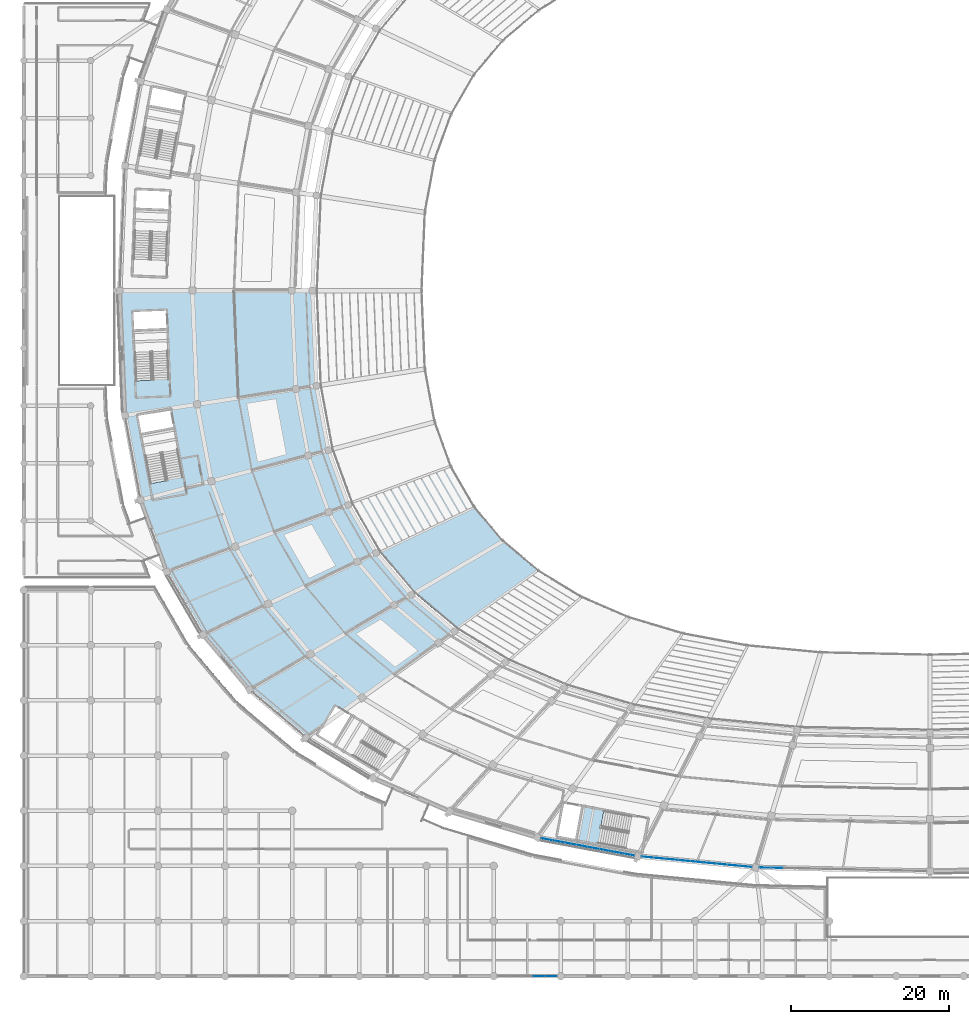
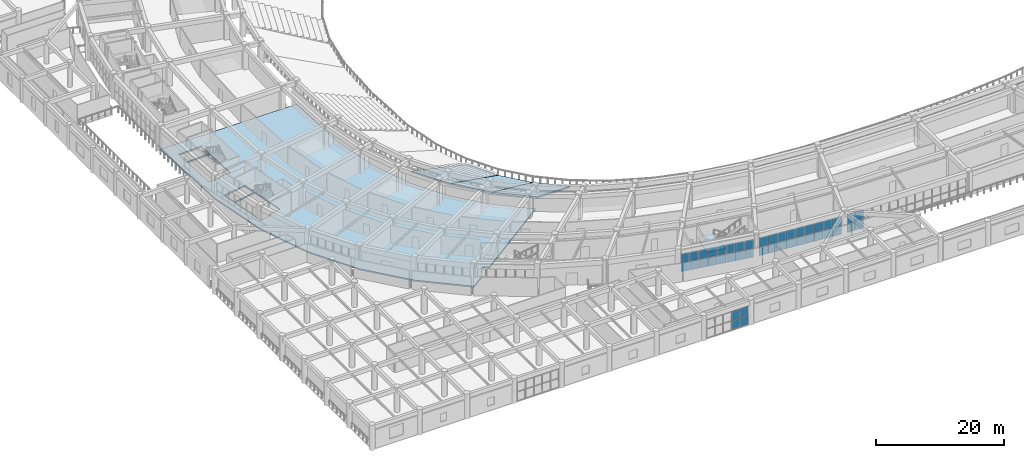
# One storey, part 78 of 152: 42 plates, 5 slabs, 5 elements without a shape of their own.
"""IFC4 building model written with IfcOpenShell, lengths in metres."""

from ifc_helpers import new_model, si_unit, direction, frame, origin, origin_2d, place, context, subcontext, project, spatial, polyline, rectangle, outline, extrude, material, layer, layer_set, type_object, element, aggregate, save


model = new_model("IFC4")

# Units and contexts
model_context = context("Model", 3, precision=1e-05, world=origin(), true_north=direction((0.0, 1.0)))
body_context = subcontext(model_context, "Body", "Model", "MODEL_VIEW")
ifc_project = project(units=[si_unit("LENGTHUNIT", "METRE"), si_unit("AREAUNIT", "SQUARE_METRE"), si_unit("VOLUMEUNIT", "CUBIC_METRE"), si_unit("PLANEANGLEUNIT", "RADIAN"), si_unit("MASSUNIT", "GRAM", prefix="KILO")], contexts=[model_context])

# Site, building, storey
site_placement = place(None, origin())
site = spatial("IfcSite", under=ifc_project, at=site_placement, CompositionType="ELEMENT")
building_placement = place(site_placement, origin())
building = spatial("IfcBuilding", under=site, at=building_placement, Name="Mphavela Belvedere Stadium", CompositionType="ELEMENT")
storey_placement = place(building_placement, frame((0.0, 0.0, 5.39990234375)))
storey = spatial("IfcBuildingStorey", under=building, at=storey_placement, Name="L01", CompositionType="ELEMENT", Elevation=5.39990234375)

# Curtain wall, plates
ifc_material_1 = material(Name="Anodised bronze unitised curtain wall framing")
ifc_layer_1 = layer(ifc_material_1, 0.18505859375)
ifc_layer_set_1 = layer_set([ifc_layer_1], Name="Anodised bronze unitised curtain wall framing")
curtain_wall_type_1 = type_object("IfcCurtainWallType", Name="CW-UNIT-02", PredefinedType="USERDEFINED", material=ifc_layer_set_1)
curtain_wall_1_placement = place(storey_placement, origin())
curtain_wall_1 = element("IfcCurtainWall", 1, at=curtain_wall_1_placement, inside=storey, type_object=curtain_wall_type_1, Name="Belvedere colonnade curtain wall L01-34", ObjectType="UNITISED CURTAIN WALL", PredefinedType="USERDEFINED")
ifc_material_2 = material(Name="Solar-control double glazing", Category="glass")
ifc_layer_2 = layer(ifc_material_2, 0.031982421875)
ifc_layer_set_2 = layer_set([ifc_layer_2], Name="Solar-control double glazing")
plate_type = type_object("IfcPlateType", Name="CWP-SOLAR-GLASS", PredefinedType="CURTAIN_PANEL", material=ifc_layer_set_2)
plate_1_placement = place(storey_placement, frame((66.3740234375, 17.38427734375, 0.06005859375), z_axis=(0.0, 0.0, 1.0), x_axis=(0.983095232437, -0.18309495886, 0.0)))
plate_1 = element("IfcPlate", 2, at=plate_1_placement, type_object=plate_type, Name="CW-02 panel 1.1", PredefinedType="CURTAIN_PANEL", context=body_context, shape_type="SweptSolid", body=[
    extrude(rectangle(XDim=1.415283203125, YDim=0.031982421875, at=origin_2d()), origin(), (0.0, 0.0, 1.0), 1.695068359375),
])
plate_2_placement = place(storey_placement, frame((66.3740234375, 17.38427734375, 1.81494140625), z_axis=(0.0, 0.0, 1.0), x_axis=(0.983095232437, -0.18309495886, 0.0)))
plate_2 = element("IfcPlate", 3, at=plate_2_placement, type_object=plate_type, Name="CW-02 panel 1.2", PredefinedType="CURTAIN_PANEL", context=body_context, shape_type="SweptSolid", body=[
    extrude(rectangle(XDim=1.415283203125, YDim=0.031982421875, at=origin_2d()), origin(), (0.0, 0.0, 1.0), 1.695068359375),
])
plate_3_placement = place(storey_placement, frame((67.84521484375, 17.1103515625, 0.06005859375), z_axis=(0.0, 0.0, 1.0), x_axis=(0.983095232437, -0.18309495886, 0.0)))
plate_3 = element("IfcPlate", 4, at=plate_3_placement, type_object=plate_type, Name="CW-02 panel 2.1", PredefinedType="CURTAIN_PANEL", context=body_context, shape_type="SweptSolid", body=[
    extrude(rectangle(XDim=1.44775390625, YDim=0.031982421875, at=origin_2d()), origin(), (0.0, 0.0, 1.0), 1.695068359375),
])
plate_4_placement = place(storey_placement, frame((67.84521484375, 17.1103515625, 1.81494140625), z_axis=(0.0, 0.0, 1.0), x_axis=(0.983095232437, -0.18309495886, 0.0)))
plate_4 = element("IfcPlate", 5, at=plate_4_placement, type_object=plate_type, Name="CW-02 panel 2.2", PredefinedType="CURTAIN_PANEL", context=body_context, shape_type="SweptSolid", body=[
    extrude(rectangle(XDim=1.44775390625, YDim=0.031982421875, at=origin_2d()), origin(), (0.0, 0.0, 1.0), 1.695068359375),
])
plate_5_placement = place(storey_placement, frame((69.332275390625, 16.833251953125, 0.06005859375), z_axis=(0.0, 0.0, 1.0), x_axis=(0.983095232437, -0.18309495886, 0.0)))
plate_5 = element("IfcPlate", 6, at=plate_5_placement, type_object=plate_type, Name="CW-02 panel 3.1", PredefinedType="CURTAIN_PANEL", context=body_context, shape_type="SweptSolid", body=[
    extrude(rectangle(XDim=1.44775390625, YDim=0.031982421875, at=origin_2d()), origin(), (0.0, 0.0, 1.0), 1.695068359375),
])
plate_6_placement = place(storey_placement, frame((69.332275390625, 16.833251953125, 1.81494140625), z_axis=(0.0, 0.0, 1.0), x_axis=(0.983095232437, -0.18309495886, 0.0)))
plate_6 = element("IfcPlate", 7, at=plate_6_placement, type_object=plate_type, Name="CW-02 panel 3.2", PredefinedType="CURTAIN_PANEL", context=body_context, shape_type="SweptSolid", body=[
    extrude(rectangle(XDim=1.44775390625, YDim=0.031982421875, at=origin_2d()), origin(), (0.0, 0.0, 1.0), 1.695068359375),
])
plate_7_placement = place(storey_placement, frame((70.8193359375, 16.556396484375, 0.06005859375), z_axis=(0.0, 0.0, 1.0), x_axis=(0.983095232437, -0.18309495886, 0.0)))
plate_7 = element("IfcPlate", 8, at=plate_7_placement, type_object=plate_type, Name="CW-02 panel 4.1", PredefinedType="CURTAIN_PANEL", context=body_context, shape_type="SweptSolid", body=[
    extrude(rectangle(XDim=1.44775390625, YDim=0.031982421875, at=origin_2d()), origin(), (0.0, 0.0, 1.0), 1.695068359375),
])
plate_8_placement = place(storey_placement, frame((70.8193359375, 16.556396484375, 1.81494140625), z_axis=(0.0, 0.0, 1.0), x_axis=(0.983095232437, -0.18309495886, 0.0)))
plate_8 = element("IfcPlate", 9, at=plate_8_placement, type_object=plate_type, Name="CW-02 panel 4.2", PredefinedType="CURTAIN_PANEL", context=body_context, shape_type="SweptSolid", body=[
    extrude(rectangle(XDim=1.44775390625, YDim=0.031982421875, at=origin_2d()), origin(), (0.0, 0.0, 1.0), 1.695068359375),
])
plate_9_placement = place(storey_placement, frame((72.306640625, 16.279296875, 0.06005859375), z_axis=(0.0, 0.0, 1.0), x_axis=(0.983095232437, -0.18309495886, 0.0)))
plate_9 = element("IfcPlate", 10, at=plate_9_placement, type_object=plate_type, Name="CW-02 panel 5.1", PredefinedType="CURTAIN_PANEL", context=body_context, shape_type="SweptSolid", body=[
    extrude(rectangle(XDim=1.44775390625, YDim=0.031982421875, at=origin_2d()), origin(), (0.0, 0.0, 1.0), 1.695068359375),
])
plate_10_placement = place(storey_placement, frame((72.306640625, 16.279296875, 1.81494140625), z_axis=(0.0, 0.0, 1.0), x_axis=(0.983095232437, -0.18309495886, 0.0)))
plate_10 = element("IfcPlate", 11, at=plate_10_placement, type_object=plate_type, Name="CW-02 panel 5.2", PredefinedType="CURTAIN_PANEL", context=body_context, shape_type="SweptSolid", body=[
    extrude(rectangle(XDim=1.44775390625, YDim=0.031982421875, at=origin_2d()), origin(), (0.0, 0.0, 1.0), 1.695068359375),
])
plate_11_placement = place(storey_placement, frame((73.793701171875, 16.00244140625, 0.06005859375), z_axis=(0.0, 0.0, 1.0), x_axis=(0.983095232437, -0.18309495886, 0.0)))
plate_11 = element("IfcPlate", 12, at=plate_11_placement, type_object=plate_type, Name="CW-02 panel 6.1", PredefinedType="CURTAIN_PANEL", context=body_context, shape_type="SweptSolid", body=[
    extrude(rectangle(XDim=1.44775390625, YDim=0.031982421875, at=origin_2d()), origin(), (0.0, 0.0, 1.0), 1.695068359375),
])
plate_12_placement = place(storey_placement, frame((73.793701171875, 16.00244140625, 1.81494140625), z_axis=(0.0, 0.0, 1.0), x_axis=(0.983095232437, -0.18309495886, 0.0)))
plate_12 = element("IfcPlate", 13, at=plate_12_placement, type_object=plate_type, Name="CW-02 panel 6.2", PredefinedType="CURTAIN_PANEL", context=body_context, shape_type="SweptSolid", body=[
    extrude(rectangle(XDim=1.44775390625, YDim=0.031982421875, at=origin_2d()), origin(), (0.0, 0.0, 1.0), 1.695068359375),
])
plate_13_placement = place(storey_placement, frame((75.28076171875, 15.725341796875, 0.06005859375), z_axis=(0.0, 0.0, 1.0), x_axis=(0.983095232437, -0.18309495886, 0.0)))
plate_13 = element("IfcPlate", 14, at=plate_13_placement, type_object=plate_type, Name="CW-02 panel 7.1", PredefinedType="CURTAIN_PANEL", context=body_context, shape_type="SweptSolid", body=[
    extrude(rectangle(XDim=1.44775390625, YDim=0.031982421875, at=origin_2d()), origin(), (0.0, 0.0, 1.0), 1.695068359375),
])
plate_14_placement = place(storey_placement, frame((75.28076171875, 15.725341796875, 1.81494140625), z_axis=(0.0, 0.0, 1.0), x_axis=(0.983095232437, -0.18309495886, 0.0)))
plate_14 = element("IfcPlate", 15, at=plate_14_placement, type_object=plate_type, Name="CW-02 panel 7.2", PredefinedType="CURTAIN_PANEL", context=body_context, shape_type="SweptSolid", body=[
    extrude(rectangle(XDim=1.44775390625, YDim=0.031982421875, at=origin_2d()), origin(), (0.0, 0.0, 1.0), 1.695068359375),
])
plate_15_placement = place(storey_placement, frame((76.751953125, 15.451416015625, 0.06005859375), z_axis=(0.0, 0.0, 1.0), x_axis=(0.983095232437, -0.18309495886, 0.0)))
plate_15 = element("IfcPlate", 16, at=plate_15_placement, type_object=plate_type, Name="CW-02 panel 8.1", PredefinedType="CURTAIN_PANEL", context=body_context, shape_type="SweptSolid", body=[
    extrude(rectangle(XDim=1.415283203125, YDim=0.031982421875, at=origin_2d()), origin(), (0.0, 0.0, 1.0), 1.695068359375),
])
plate_16_placement = place(storey_placement, frame((76.751953125, 15.451416015625, 1.81494140625), z_axis=(0.0, 0.0, 1.0), x_axis=(0.983095232437, -0.18309495886, 0.0)))
plate_16 = element("IfcPlate", 17, at=plate_16_placement, type_object=plate_type, Name="CW-02 panel 8.2", PredefinedType="CURTAIN_PANEL", context=body_context, shape_type="SweptSolid", body=[
    extrude(rectangle(XDim=1.415283203125, YDim=0.031982421875, at=origin_2d()), origin(), (0.0, 0.0, 1.0), 1.695068359375),
])
aggregate(curtain_wall_1, [plate_1, plate_2, plate_3, plate_4, plate_5, plate_6, plate_7, plate_8, plate_9, plate_10, plate_11, plate_12, plate_13, plate_14, plate_15, plate_16])

ifc_material_3 = material(Name="Anodised bronze unitised curtain wall framing")
ifc_layer_3 = layer(ifc_material_3, 0.18994140625)
ifc_layer_set_3 = layer_set([ifc_layer_3], Name="Anodised bronze unitised curtain wall framing")
curtain_wall_type_2 = type_object("IfcCurtainWallType", Name="CW-UNIT-03", PredefinedType="USERDEFINED", material=ifc_layer_set_3)
curtain_wall_2_placement = place(storey_placement, origin())
curtain_wall_2 = element("IfcCurtainWall", 18, at=curtain_wall_2_placement, inside=storey, type_object=curtain_wall_type_2, Name="Belvedere colonnade curtain wall L01-35", ObjectType="UNITISED CURTAIN WALL", PredefinedType="USERDEFINED")
plate_17_placement = place(storey_placement, frame((79.148681640625, 15.115966796875, 0.06005859375), z_axis=(0.0, 0.0, 1.0), x_axis=(0.99548468981, -0.094922243726, 0.0)))
plate_17 = element("IfcPlate", 19, at=plate_17_placement, type_object=plate_type, Name="CW-03 panel 1.1", PredefinedType="CURTAIN_PANEL", context=body_context, shape_type="SweptSolid", body=[
    extrude(rectangle(XDim=1.47802734375, YDim=0.031982421875, at=origin_2d()), origin(), (0.0, 0.0, 1.0), 1.695068359375),
])
plate_18_placement = place(storey_placement, frame((79.148681640625, 15.115966796875, 1.81494140625), z_axis=(0.0, 0.0, 1.0), x_axis=(0.99548468981, -0.094922243726, 0.0)))
plate_18 = element("IfcPlate", 20, at=plate_18_placement, type_object=plate_type, Name="CW-03 panel 1.2", PredefinedType="CURTAIN_PANEL", context=body_context, shape_type="SweptSolid", body=[
    extrude(rectangle(XDim=1.47802734375, YDim=0.031982421875, at=origin_2d()), origin(), (0.0, 0.0, 1.0), 1.695068359375),
])
plate_19_placement = place(storey_placement, frame((80.700927734375, 14.968017578125, 0.06005859375), z_axis=(0.0, 0.0, 1.0), x_axis=(0.99548468981, -0.094922243726, 0.0)))
plate_19 = element("IfcPlate", 21, at=plate_19_placement, type_object=plate_type, Name="CW-03 panel 2.1", PredefinedType="CURTAIN_PANEL", context=body_context, shape_type="SweptSolid", body=[
    extrude(rectangle(XDim=1.510498046875, YDim=0.031982421875, at=origin_2d()), origin(), (0.0, 0.0, 1.0), 1.695068359375),
])
plate_20_placement = place(storey_placement, frame((80.700927734375, 14.968017578125, 1.81494140625), z_axis=(0.0, 0.0, 1.0), x_axis=(0.99548468981, -0.094922243726, 0.0)))
plate_20 = element("IfcPlate", 22, at=plate_20_placement, type_object=plate_type, Name="CW-03 panel 2.2", PredefinedType="CURTAIN_PANEL", context=body_context, shape_type="SweptSolid", body=[
    extrude(rectangle(XDim=1.510498046875, YDim=0.031982421875, at=origin_2d()), origin(), (0.0, 0.0, 1.0), 1.695068359375),
])
plate_21_placement = place(storey_placement, frame((82.26953125, 14.818603515625, 0.06005859375), z_axis=(0.0, 0.0, 1.0), x_axis=(0.99548468981, -0.094922243726, 0.0)))
plate_21 = element("IfcPlate", 23, at=plate_21_placement, type_object=plate_type, Name="CW-03 panel 3.1", PredefinedType="CURTAIN_PANEL", context=body_context, shape_type="SweptSolid", body=[
    extrude(rectangle(XDim=1.510498046875, YDim=0.031982421875, at=origin_2d()), origin(), (0.0, 0.0, 1.0), 1.695068359375),
])
plate_22_placement = place(storey_placement, frame((82.26953125, 14.818603515625, 1.81494140625), z_axis=(0.0, 0.0, 1.0), x_axis=(0.99548468981, -0.094922243726, 0.0)))
plate_22 = element("IfcPlate", 24, at=plate_22_placement, type_object=plate_type, Name="CW-03 panel 3.2", PredefinedType="CURTAIN_PANEL", context=body_context, shape_type="SweptSolid", body=[
    extrude(rectangle(XDim=1.510498046875, YDim=0.031982421875, at=origin_2d()), origin(), (0.0, 0.0, 1.0), 1.695068359375),
])
plate_23_placement = place(storey_placement, frame((83.837890625, 14.6689453125, 0.06005859375), z_axis=(0.0, 0.0, 1.0), x_axis=(0.99548468981, -0.094922243726, 0.0)))
plate_23 = element("IfcPlate", 25, at=plate_23_placement, type_object=plate_type, Name="CW-03 panel 4.1", PredefinedType="CURTAIN_PANEL", context=body_context, shape_type="SweptSolid", body=[
    extrude(rectangle(XDim=1.510498046875, YDim=0.031982421875, at=origin_2d()), origin(), (0.0, 0.0, 1.0), 1.695068359375),
])
plate_24_placement = place(storey_placement, frame((83.837890625, 14.6689453125, 1.81494140625), z_axis=(0.0, 0.0, 1.0), x_axis=(0.99548468981, -0.094922243726, 0.0)))
plate_24 = element("IfcPlate", 26, at=plate_24_placement, type_object=plate_type, Name="CW-03 panel 4.2", PredefinedType="CURTAIN_PANEL", context=body_context, shape_type="SweptSolid", body=[
    extrude(rectangle(XDim=1.510498046875, YDim=0.031982421875, at=origin_2d()), origin(), (0.0, 0.0, 1.0), 1.695068359375),
])
plate_25_placement = place(storey_placement, frame((85.40625, 14.519287109375, 0.06005859375), z_axis=(0.0, 0.0, 1.0), x_axis=(0.99548468981, -0.094922243726, 0.0)))
plate_25 = element("IfcPlate", 27, at=plate_25_placement, type_object=plate_type, Name="CW-03 panel 5.1", PredefinedType="CURTAIN_PANEL", context=body_context, shape_type="SweptSolid", body=[
    extrude(rectangle(XDim=1.510498046875, YDim=0.031982421875, at=origin_2d()), origin(), (0.0, 0.0, 1.0), 1.695068359375),
])
plate_26_placement = place(storey_placement, frame((85.40625, 14.519287109375, 1.81494140625), z_axis=(0.0, 0.0, 1.0), x_axis=(0.99548468981, -0.094922243726, 0.0)))
plate_26 = element("IfcPlate", 28, at=plate_26_placement, type_object=plate_type, Name="CW-03 panel 5.2", PredefinedType="CURTAIN_PANEL", context=body_context, shape_type="SweptSolid", body=[
    extrude(rectangle(XDim=1.510498046875, YDim=0.031982421875, at=origin_2d()), origin(), (0.0, 0.0, 1.0), 1.695068359375),
])
plate_27_placement = place(storey_placement, frame((86.974853515625, 14.369873046875, 0.06005859375), z_axis=(0.0, 0.0, 1.0), x_axis=(0.99548468981, -0.094922243726, 0.0)))
plate_27 = element("IfcPlate", 29, at=plate_27_placement, type_object=plate_type, Name="CW-03 panel 6.1", PredefinedType="CURTAIN_PANEL", context=body_context, shape_type="SweptSolid", body=[
    extrude(rectangle(XDim=1.510498046875, YDim=0.031982421875, at=origin_2d()), origin(), (0.0, 0.0, 1.0), 1.695068359375),
])
plate_28_placement = place(storey_placement, frame((86.974853515625, 14.369873046875, 1.81494140625), z_axis=(0.0, 0.0, 1.0), x_axis=(0.99548468981, -0.094922243726, 0.0)))
plate_28 = element("IfcPlate", 30, at=plate_28_placement, type_object=plate_type, Name="CW-03 panel 6.2", PredefinedType="CURTAIN_PANEL", context=body_context, shape_type="SweptSolid", body=[
    extrude(rectangle(XDim=1.510498046875, YDim=0.031982421875, at=origin_2d()), origin(), (0.0, 0.0, 1.0), 1.695068359375),
])
plate_29_placement = place(storey_placement, frame((88.543212890625, 14.22021484375, 0.06005859375), z_axis=(0.0, 0.0, 1.0), x_axis=(0.99548468981, -0.094922243726, 0.0)))
plate_29 = element("IfcPlate", 31, at=plate_29_placement, type_object=plate_type, Name="CW-03 panel 7.1", PredefinedType="CURTAIN_PANEL", context=body_context, shape_type="SweptSolid", body=[
    extrude(rectangle(XDim=1.510498046875, YDim=0.031982421875, at=origin_2d()), origin(), (0.0, 0.0, 1.0), 1.695068359375),
])
plate_30_placement = place(storey_placement, frame((88.543212890625, 14.22021484375, 1.81494140625), z_axis=(0.0, 0.0, 1.0), x_axis=(0.99548468981, -0.094922243726, 0.0)))
plate_30 = element("IfcPlate", 32, at=plate_30_placement, type_object=plate_type, Name="CW-03 panel 7.2", PredefinedType="CURTAIN_PANEL", context=body_context, shape_type="SweptSolid", body=[
    extrude(rectangle(XDim=1.510498046875, YDim=0.031982421875, at=origin_2d()), origin(), (0.0, 0.0, 1.0), 1.695068359375),
])
plate_31_placement = place(storey_placement, frame((90.111572265625, 14.07080078125, 0.06005859375), z_axis=(0.0, 0.0, 1.0), x_axis=(0.99548468981, -0.094922243726, 0.0)))
plate_31 = element("IfcPlate", 33, at=plate_31_placement, type_object=plate_type, Name="CW-03 panel 8.1", PredefinedType="CURTAIN_PANEL", context=body_context, shape_type="SweptSolid", body=[
    extrude(rectangle(XDim=1.510498046875, YDim=0.031982421875, at=origin_2d()), origin(), (0.0, 0.0, 1.0), 1.695068359375),
])
plate_32_placement = place(storey_placement, frame((90.111572265625, 14.07080078125, 1.81494140625), z_axis=(0.0, 0.0, 1.0), x_axis=(0.99548468981, -0.094922243726, 0.0)))
plate_32 = element("IfcPlate", 34, at=plate_32_placement, type_object=plate_type, Name="CW-03 panel 8.2", PredefinedType="CURTAIN_PANEL", context=body_context, shape_type="SweptSolid", body=[
    extrude(rectangle(XDim=1.510498046875, YDim=0.031982421875, at=origin_2d()), origin(), (0.0, 0.0, 1.0), 1.695068359375),
])
plate_33_placement = place(storey_placement, frame((91.663818359375, 13.922607421875, 0.06005859375), z_axis=(0.0, 0.0, 1.0), x_axis=(0.99548468981, -0.094922243726, 0.0)))
plate_33 = element("IfcPlate", 35, at=plate_33_placement, type_object=plate_type, Name="CW-03 panel 9.1", PredefinedType="CURTAIN_PANEL", context=body_context, shape_type="SweptSolid", body=[
    extrude(rectangle(XDim=1.47802734375, YDim=0.031982421875, at=origin_2d()), origin(), (0.0, 0.0, 1.0), 1.695068359375),
])
plate_34_placement = place(storey_placement, frame((91.663818359375, 13.922607421875, 1.81494140625), z_axis=(0.0, 0.0, 1.0), x_axis=(0.99548468981, -0.094922243726, 0.0)))
plate_34 = element("IfcPlate", 36, at=plate_34_placement, type_object=plate_type, Name="CW-03 panel 9.2", PredefinedType="CURTAIN_PANEL", context=body_context, shape_type="SweptSolid", body=[
    extrude(rectangle(XDim=1.47802734375, YDim=0.031982421875, at=origin_2d()), origin(), (0.0, 0.0, 1.0), 1.695068359375),
])
aggregate(curtain_wall_2, [plate_17, plate_18, plate_19, plate_20, plate_21, plate_22, plate_23, plate_24, plate_25, plate_26, plate_27, plate_28, plate_29, plate_30, plate_31, plate_32, plate_33, plate_34])

ifc_material_4 = material(Name="Anodised bronze unitised curtain wall framing")
ifc_layer_4 = layer(ifc_material_4, 0.195068359375)
ifc_layer_set_4 = layer_set([ifc_layer_4], Name="Anodised bronze unitised curtain wall framing")
curtain_wall_type_3 = type_object("IfcCurtainWallType", Name="CW-UNIT-04", PredefinedType="USERDEFINED", material=ifc_layer_set_4)
curtain_wall_3_placement = place(storey_placement, origin())
curtain_wall_3 = element("IfcCurtainWall", 37, at=curtain_wall_3_placement, inside=storey, type_object=curtain_wall_type_3, Name="Belvedere colonnade curtain wall L01-36", ObjectType="UNITISED CURTAIN WALL", PredefinedType="USERDEFINED")
plate_35_placement = place(storey_placement, frame((94.084228515625, 13.7802734375, 0.06005859375), z_axis=(0.0, 0.0, 1.0), x_axis=(0.999768226394, -0.021528899038, 0.0)))
plate_35 = element("IfcPlate", 38, at=plate_35_placement, type_object=plate_type, Name="CW-04 panel 1.1", PredefinedType="CURTAIN_PANEL", context=body_context, shape_type="SweptSolid", body=[
    extrude(rectangle(XDim=1.422119140625, YDim=0.031982421875, at=origin_2d()), origin(), (0.0, 0.0, 1.0), 1.695068359375),
])
plate_36_placement = place(storey_placement, frame((94.084228515625, 13.7802734375, 1.81494140625), z_axis=(0.0, 0.0, 1.0), x_axis=(0.999768226394, -0.021528899038, 0.0)))
plate_36 = element("IfcPlate", 39, at=plate_36_placement, type_object=plate_type, Name="CW-04 panel 1.2", PredefinedType="CURTAIN_PANEL", context=body_context, shape_type="SweptSolid", body=[
    extrude(rectangle(XDim=1.422119140625, YDim=0.031982421875, at=origin_2d()), origin(), (0.0, 0.0, 1.0), 1.695068359375),
])
plate_37_placement = place(storey_placement, frame((95.587158203125, 13.748046875, 0.06005859375), z_axis=(0.0, 0.0, 1.0), x_axis=(0.999768226394, -0.021528899038, 0.0)))
plate_37 = element("IfcPlate", 40, at=plate_37_placement, type_object=plate_type, Name="CW-04 panel 2.1", PredefinedType="CURTAIN_PANEL", context=body_context, shape_type="SweptSolid", body=[
    extrude(rectangle(XDim=1.45458984375, YDim=0.031982421875, at=origin_2d()), origin(), (0.0, 0.0, 1.0), 1.695068359375),
])
plate_38_placement = place(storey_placement, frame((95.587158203125, 13.748046875, 1.81494140625), z_axis=(0.0, 0.0, 1.0), x_axis=(0.999768226394, -0.021528899038, 0.0)))
plate_38 = element("IfcPlate", 41, at=plate_38_placement, type_object=plate_type, Name="CW-04 panel 2.2", PredefinedType="CURTAIN_PANEL", context=body_context, shape_type="SweptSolid", body=[
    extrude(rectangle(XDim=1.45458984375, YDim=0.031982421875, at=origin_2d()), origin(), (0.0, 0.0, 1.0), 1.695068359375),
])
aggregate(curtain_wall_3, [plate_35, plate_36, plate_37, plate_38])

curtain_wall_4_placement = place(storey_placement, origin())
curtain_wall_4 = element("IfcCurtainWall", 42, at=curtain_wall_4_placement, inside=storey, type_object=curtain_wall_type_3, Name="South Axial Triumphal Peristyle Portico gallery curtain wall L01-08", ObjectType="UNITISED CURTAIN WALL", PredefinedType="USERDEFINED")
plate_39_placement = place(storey_placement, frame((66.901611328125, 0.0, 0.06005859375), z_axis=(0.0, 0.0, 1.0), x_axis=(-1.0, 0.0, 0.0)))
plate_39 = element("IfcPlate", 43, at=plate_39_placement, type_object=plate_type, Name="CW-04 panel 1.1", PredefinedType="CURTAIN_PANEL", context=body_context, shape_type="SweptSolid", body=[
    extrude(rectangle(XDim=1.4169921875, YDim=0.031982421875, at=origin_2d()), origin(), (0.0, 0.0, 1.0), 1.68994140625),
])
plate_40_placement = place(storey_placement, frame((66.901611328125, 0.0, 1.81005859375), z_axis=(0.0, 0.0, 1.0), x_axis=(-1.0, 0.0, 0.0)))
plate_40 = element("IfcPlate", 44, at=plate_40_placement, type_object=plate_type, Name="CW-04 panel 1.2", PredefinedType="CURTAIN_PANEL", context=body_context, shape_type="SweptSolid", body=[
    extrude(rectangle(XDim=1.4169921875, YDim=0.031982421875, at=origin_2d()), origin(), (0.0, 0.0, 1.0), 1.68994140625),
])
plate_41_placement = place(storey_placement, frame((65.4033203125, 0.0, 0.06005859375), z_axis=(0.0, 0.0, 1.0), x_axis=(-1.0, 0.0, 0.0)))
plate_41 = element("IfcPlate", 45, at=plate_41_placement, type_object=plate_type, Name="CW-04 panel 2.1", PredefinedType="CURTAIN_PANEL", context=body_context, shape_type="SweptSolid", body=[
    extrude(rectangle(XDim=1.449462890625, YDim=0.031982421875, at=origin_2d()), origin(), (0.0, 0.0, 1.0), 1.68994140625),
])
plate_42_placement = place(storey_placement, frame((65.4033203125, 0.0, 1.81005859375), z_axis=(0.0, 0.0, 1.0), x_axis=(-1.0, 0.0, 0.0)))
plate_42 = element("IfcPlate", 46, at=plate_42_placement, type_object=plate_type, Name="CW-04 panel 2.2", PredefinedType="CURTAIN_PANEL", context=body_context, shape_type="SweptSolid", body=[
    extrude(rectangle(XDim=1.449462890625, YDim=0.031982421875, at=origin_2d()), origin(), (0.0, 0.0, 1.0), 1.68994140625),
])
aggregate(curtain_wall_4, [plate_39, plate_40, plate_41, plate_42])

# Slab
ifc_material_5 = material(Name="Concrete C40/50", Category="concrete")
ifc_layer_5 = layer(ifc_material_5, 0.25)
ifc_layer_set_5 = layer_set([ifc_layer_5], Name="Concrete C40/50")
slab_type_1 = type_object("IfcSlabType", Name="SLB-CONCOURSE-250", PredefinedType="FLOOR", material=ifc_layer_set_5)
slab_1_placement = place(storey_placement, frame((0.0, 0.0, -0.25)))
element("IfcSlab", 47, at=slab_1_placement, inside=storey, type_object=slab_type_1, Name="Concourse sector slab L01-S5", PredefinedType="FLOOR", context=body_context, shape_type="SweptSolid", body=[
    extrude(outline(polyline([(18.143798828125, 51.317626953125), (14.83544921875, 60.4375), (12.844482421875, 71.155029296875), (12.179931640625, 87.0), (36.6240234375, 87.0), (37.130615234375, 74.921875), (38.648193359375, 66.75244140625), (41.170166015625, 59.80078125), (44.68701171875, 53.718505859375), (49.1875, 48.388671875), (54.66259765625, 43.7685546875), (40.532958984375, 33.644775390625), (39.5341796875, 34.252197265625), (38.10791015625, 31.9072265625), (35.844482421875, 30.285400390625), (28.66162109375, 36.346435546875), (22.757568359375, 43.33837890625), (18.143798828125, 51.317626953125)]), holes=[polyline([(16.327880859375, 75.97509765625), (18.421142578125, 76.062744140625), (18.17138671875, 82.017578125), (13.985107421875, 81.842041015625), (14.248779296875, 75.551513671875), (16.342041015625, 75.639404296875), (16.327880859375, 75.97509765625)]), polyline([(18.067626953125, 84.495361328125), (13.88134765625, 84.31982421875), (13.97607421875, 82.061767578125), (18.162353515625, 82.2373046875), (18.067626953125, 84.495361328125)]), polyline([(16.08642578125, 62.51025390625), (18.146240234375, 62.892578125), (18.0849609375, 63.222900390625), (20.144775390625, 63.60546875), (19.056396484375, 69.46533203125), (14.93701171875, 68.7001953125), (16.08642578125, 62.51025390625)]), polyline([(14.896728515625, 68.91650390625), (19.016357421875, 69.681640625), (18.603759765625, 71.903564453125), (14.484130859375, 71.138671875), (14.896728515625, 68.91650390625)])]), origin(), (0.0, 0.0, 1.0), 0.25),
])

# Stair, slab
ifc_material_6 = material(Name="Concrete C40/50", Category="concrete")
stair_type = type_object("IfcStairType", Name="STR-HALF-TURN-2", PredefinedType="HALF_TURN_STAIR", material=ifc_material_6)
stair_placement = place(storey_placement, origin())
stair = element("IfcStair", 48, at=stair_placement, inside=storey, type_object=stair_type, Name="L01 Escape stair core C11", PredefinedType="HALF_TURN_STAIR")
ifc_material_7 = material(Name="Concrete C40/50", Category="concrete")
ifc_layer_6 = layer(ifc_material_7, 0.199951171875)
ifc_layer_set_6 = layer_set([ifc_layer_6], Name="Concrete C40/50")
slab_type_2 = type_object("IfcSlabType", Name="SLB-LANDING-200", PredefinedType="LANDING", material=ifc_layer_set_6)
slab_2_placement = place(storey_placement, frame((0.0, 0.0, 2.2001953125)))
slab_2 = element("IfcSlab", 49, at=slab_2_placement, type_object=slab_type_2, Name="ST-C11 landing 1", PredefinedType="LANDING", context=body_context, shape_type="SweptSolid", body=[
    extrude(outline(polyline([(73.634765625, 21.105224609375), (70.9990234375, 21.59619140625), (70.18798828125, 17.240966796875), (73.172607421875, 16.68505859375), (73.578125, 18.86279296875), (73.22900390625, 18.927734375), (73.634765625, 21.105224609375)])), origin(), (0.0, 0.0, 1.0), 0.199951171875),
])
aggregate(stair, [slab_2])

# Slabs
ifc_material_8 = material(Name="Precast concrete C45/55", Category="concrete")
ifc_layer_7 = layer(ifc_material_8, 0.25)
ifc_layer_set_7 = layer_set([ifc_layer_7], Name="Precast concrete C45/55")
slab_type_3 = type_object("IfcSlabType", Name="SLB-TIER-LOWER", PredefinedType="USERDEFINED", material=ifc_layer_set_7)
slab_3_placement = place(storey_placement, frame((54.236572265625, 64.614501953125, -4.099853515625), z_axis=(0.3594604756, 0.207838915334, 0.909720370089), x_axis=(0.500540449389, -0.865713150242, 4.808227e-06)))
element("IfcSlab", 50, at=slab_3_placement, inside=storey, type_object=slab_type_3, Name="Lower seating tier slab L01-28", ObjectType="SEATING TIER", PredefinedType="USERDEFINED", context=body_context, shape_type="SweptSolid", body=[
    extrude(outline(polyline([(0.0, 0.0), (5.7823460595882405, 8.881784197001252e-16), (4.700271034469894, -14.450066284278886), (-2.27338182797004, -14.450213997594641), (0.0, 0.0)])), origin(), (0.0, 0.0, -1.0), 0.25),
])
slab_4_placement = place(storey_placement, frame((57.130859375, 59.608642578125, -4.099853515625), z_axis=(0.325335055916, 0.274715889253, 0.904813948602), x_axis=(0.645175251846, -0.764034615948, -6.274985e-06)))
element("IfcSlab", 51, at=slab_4_placement, inside=storey, type_object=slab_type_3, Name="Lower seating tier slab L01-29", ObjectType="SEATING TIER", PredefinedType="USERDEFINED", context=body_context, shape_type="SweptSolid", body=[
    extrude(outline(polyline([(0.0, 0.0), (5.741213101986478, 0.0), (3.543745526568664, -14.09093861523559), (-3.3802382810468354, -14.090751972223927), (0.0, 0.0)])), origin(), (0.0, 0.0, -1.0), 0.25),
])
slab_5_placement = place(storey_placement, frame((60.8349609375, 55.22216796875, -4.099853515625), z_axis=(0.284611104244, 0.337287104358, 0.897348276075), x_axis=(0.764254694135, -0.644914538872, 6.669598e-06)))
element("IfcSlab", 52, at=slab_5_placement, inside=storey, type_object=slab_type_3, Name="Lower seating tier slab L01-30", ObjectType="SEATING TIER", PredefinedType="USERDEFINED", context=body_context, shape_type="SweptSolid", body=[
    extrude(outline(polyline([(0.0, 0.0), (5.896092000140836, 4.440892098500626e-16), (2.804722206217582, -13.595439270528502), (-4.306053983985733, -13.595635839857422), (0.0, 0.0)])), origin(), (0.0, 0.0, -1.0), 0.25),
])

save(model, "model.ifc")
